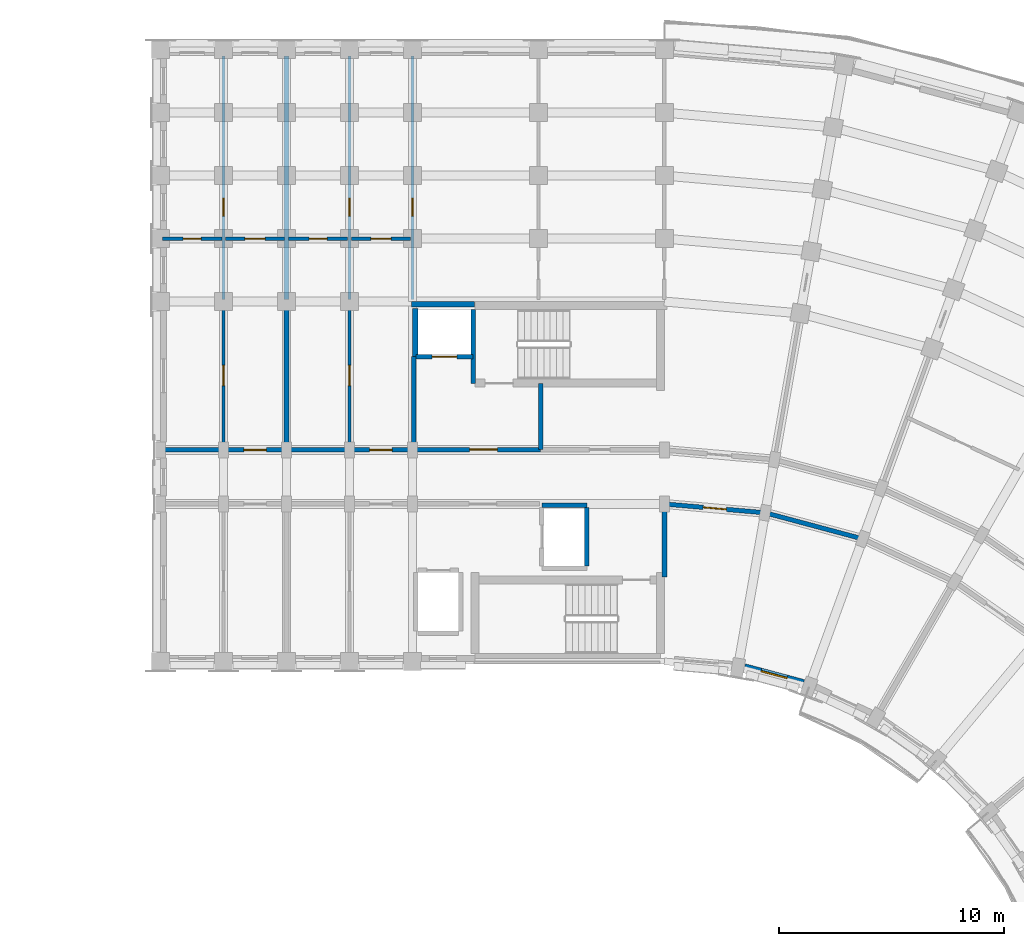
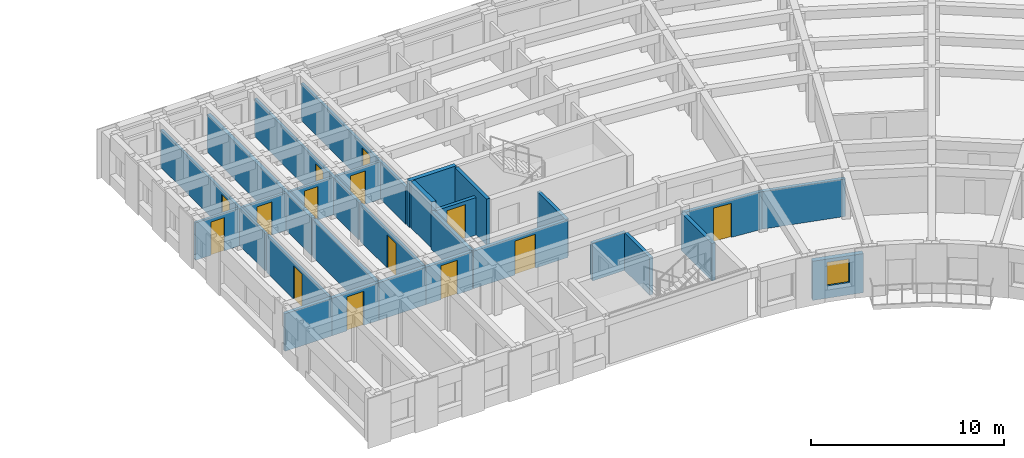
# One storey, part 29 of 54: 28 walls, 14 doors, 1 window, 15 openings.
"""IFC4 building model written with IfcOpenShell, lengths in metres."""

from ifc_helpers import new_model, si_unit, direction, frame, frame_2d, origin, place, context, subcontext, project, spatial, rectangle, extrude, material, layer, layer_set, type_object, element, fill, save


model = new_model("IFC4")

# Units and contexts
model_context = context("Model", 3, precision=1e-05, world=origin(), true_north=direction((0.0, 1.0)))
body_context = subcontext(model_context, "Body", "Model", "MODEL_VIEW")
ifc_project = project(units=[si_unit("LENGTHUNIT", "METRE"), si_unit("AREAUNIT", "SQUARE_METRE"), si_unit("VOLUMEUNIT", "CUBIC_METRE"), si_unit("PLANEANGLEUNIT", "RADIAN"), si_unit("MASSUNIT", "GRAM", prefix="KILO")], contexts=[model_context])

# Site, building, storey
site_placement = place(None, origin())
site = spatial("IfcSite", under=ifc_project, at=site_placement, CompositionType="ELEMENT")
building_placement = place(site_placement, origin())
building = spatial("IfcBuilding", under=site, at=building_placement, Name="Kiranvali Square Residences", CompositionType="ELEMENT")
storey_placement = place(building_placement, frame((0.0, 0.0, 15.0)))
storey = spatial("IfcBuildingStorey", under=building, at=storey_placement, Name="L04", CompositionType="ELEMENT", Elevation=15.0)

# Wall, opening, door
ifc_material_1 = material(Name="Autoclaved aerated concrete blockwork masonry", Category="masonry")
ifc_layer_1 = layer(ifc_material_1, 0.199951171875)
ifc_layer_set_1 = layer_set([ifc_layer_1], Name="Autoclaved aerated concrete blockwork masonry")
wall_type_1 = type_object("IfcWallType", Name="WL-COR-200", PredefinedType="STANDARD", material=ifc_layer_set_1)
wall_1_placement = place(storey_placement, frame((108.60009765625, 116.0, 0.0), z_axis=(0.0, 0.0, 1.0), x_axis=(-1.0, 0.0, 0.0)))
wall_1 = element("IfcWall", 1, at=wall_1_placement, inside=storey, type_object=wall_type_1, Name="L04 architectural wall WL-L04-B-A1CO-0", PredefinedType="STANDARD", context=body_context, shape_type="SweptSolid", body=[
    extrude(rectangle(XDim=2.800048828125, YDim=0.199951171875, at=frame_2d((1.39990234375, 0.0))), origin(), (0.0, 0.0, 1.0), 2.3720703125),
])
opening_1_placement = place(wall_1_placement, frame((0.89990234375, 0.0, 0.0)))
opening_1 = element("IfcOpeningElement", 2, at=opening_1_placement, cuts=wall_1, Name="Opening FD-APT-60", PredefinedType="OPENING", context=body_context, shape_type="SweptSolid", body=[
    extrude(rectangle(XDim=1.0, YDim=2.14990234375, at=frame_2d((0.5, 1.074951171875))), frame((0.0, 0.10986328125, 0.0), z_axis=(0.0, -1.0, 0.0), x_axis=(1.0, 0.0, 0.0)), (0.0, 0.0, 1.0), 0.219970703125),
])
ifc_material_2 = material(Name="Fire-rated acoustic hardwood and mineral-core door assembly", Category="wood")
door_type_1 = type_object("IfcDoorType", Name="DR-APT-1000", OperationType="NOTDEFINED", PredefinedType="DOOR", material=ifc_material_2)
door_1_placement = place(opening_1_placement, origin())
door_1 = element("IfcDoor", 3, at=door_1_placement, inside=storey, type_object=door_type_1, Name="L04 door DR-L04-1209 (DR-APT-1000)", OperationType="SINGLE_SWING_LEFT", OverallHeight=2.14990234375, OverallWidth=1.0, PredefinedType="DOOR", context=body_context, shape_type="SweptSolid", body=[
    extrude(rectangle(XDim=1.0, YDim=2.14990234375, at=frame_2d((0.5, 1.074951171875))), frame((0.0, 0.02490234375, 0.0), z_axis=(0.0, -1.0, 0.0), x_axis=(1.0, 0.0, 0.0)), (0.0, 0.0, 1.0), 0.050048828125),
])
fill(opening_1, door_1)

# Wall
wall_2_placement = place(storey_placement, frame((105.800048828125, 116.0, 0.0), z_axis=(0.0, 0.0, 1.0), x_axis=(-1.0, 0.0, 0.0)))
element("IfcWall", 4, at=wall_2_placement, inside=storey, type_object=wall_type_1, Name="L04 architectural wall WL-L04-B-A1CO-1", PredefinedType="STANDARD", context=body_context, shape_type="SweptSolid", body=[
    extrude(rectangle(XDim=2.800048828125, YDim=0.199951171875, at=frame_2d((1.39990234375, 0.0))), origin(), (0.0, 0.0, 1.0), 2.3720703125),
])

# Wall, opening, door
wall_3_placement = place(storey_placement, frame((103.0, 116.0, 0.0), z_axis=(0.0, 0.0, 1.0), x_axis=(-1.0, 0.0, 0.0)))
wall_3 = element("IfcWall", 5, at=wall_3_placement, inside=storey, type_object=wall_type_1, Name="L04 architectural wall WL-L04-B-A1CO-2", PredefinedType="STANDARD", context=body_context, shape_type="SweptSolid", body=[
    extrude(rectangle(XDim=2.800048828125, YDim=0.199951171875, at=frame_2d((1.39990234375, 0.0))), origin(), (0.0, 0.0, 1.0), 2.3720703125),
])
opening_2_placement = place(wall_3_placement, frame((0.89990234375, 0.0, 0.0)))
opening_2 = element("IfcOpeningElement", 6, at=opening_2_placement, cuts=wall_3, Name="Opening FD-APT-60", PredefinedType="OPENING", context=body_context, shape_type="SweptSolid", body=[
    extrude(rectangle(XDim=1.0, YDim=2.14990234375, at=frame_2d((0.5, 1.074951171875))), frame((0.0, 0.10986328125, 0.0), z_axis=(0.0, -1.0, 0.0), x_axis=(1.0, 0.0, 0.0)), (0.0, 0.0, 1.0), 0.219970703125),
])
door_2_placement = place(opening_2_placement, origin())
door_2 = element("IfcDoor", 7, at=door_2_placement, inside=storey, type_object=door_type_1, Name="L04 door DR-L04-1213 (DR-APT-1000)", OperationType="SINGLE_SWING_LEFT", OverallHeight=2.14990234375, OverallWidth=1.0, PredefinedType="DOOR", context=body_context, shape_type="SweptSolid", body=[
    extrude(rectangle(XDim=1.0, YDim=2.14990234375, at=frame_2d((0.5, 1.074951171875))), frame((0.0, 0.02490234375, 0.0), z_axis=(0.0, -1.0, 0.0), x_axis=(1.0, 0.0, 0.0)), (0.0, 0.0, 1.0), 0.050048828125),
])
fill(opening_2, door_2)

# Wall
wall_4_placement = place(storey_placement, frame((100.199951171875, 116.0, 0.0), z_axis=(0.0, 0.0, 1.0), x_axis=(-1.0, 0.0, 0.0)))
element("IfcWall", 8, at=wall_4_placement, inside=storey, type_object=wall_type_1, Name="L04 architectural wall WL-L04-B-A1CO-3", PredefinedType="STANDARD", context=body_context, shape_type="SweptSolid", body=[
    extrude(rectangle(XDim=2.800048828125, YDim=0.199951171875, at=frame_2d((1.39990234375, 0.0))), origin(), (0.0, 0.0, 1.0), 2.3720703125),
])

# Wall, opening, door
wall_5_placement = place(storey_placement, frame((119.800048828125, 113.60009765625, 0.0), z_axis=(0.0, 0.0, 1.0), x_axis=(0.996191949488, -0.087187153726, 0.0)))
wall_5 = element("IfcWall", 9, at=wall_5_placement, inside=storey, type_object=wall_type_1, Name="L04 architectural wall WL-L04-B-CCI-0", PredefinedType="STANDARD", context=body_context, shape_type="SweptSolid", body=[
    extrude(rectangle(XDim=4.4970703125, YDim=0.199951171875, at=frame_2d((2.24853515625, 0.0))), origin(), (0.0, 0.0, 1.0), 2.3720703125),
])
opening_3_placement = place(wall_5_placement, frame((1.728515625, 0.0, 0.0)))
opening_3 = element("IfcOpeningElement", 10, at=opening_3_placement, cuts=wall_5, Name="Opening FD-APT-60B", PredefinedType="OPENING", context=body_context, shape_type="SweptSolid", body=[
    extrude(rectangle(XDim=1.0400390625, YDim=2.14990234375, at=frame_2d((0.52001953125, 1.074951171875))), frame((0.0, 0.10986328125, 0.0), z_axis=(0.0, -1.0, 0.0), x_axis=(1.0, 0.0, 0.0)), (0.0, 0.0, 1.0), 0.219970703125),
])
door_type_2 = type_object("IfcDoorType", Name="DR-APT-1040", OperationType="NOTDEFINED", PredefinedType="DOOR", material=ifc_material_2)
door_3_placement = place(opening_3_placement, frame((1.0400390625, 0.0, 0.0), z_axis=(0.0, 0.0, 1.0), x_axis=(-1.0, 0.0, 0.0)))
door_3 = element("IfcDoor", 11, at=door_3_placement, inside=storey, type_object=door_type_2, Name="L04 door DR-L04-1236 (DR-APT-1040)", OperationType="SINGLE_SWING_RIGHT", OverallHeight=2.14990234375, OverallWidth=1.0400390625, PredefinedType="DOOR", context=body_context, shape_type="SweptSolid", body=[
    extrude(rectangle(XDim=1.0400390625, YDim=2.14990234375, at=frame_2d((0.52001953125, 1.074951171875))), frame((0.0, 0.02490234375, 0.0), z_axis=(0.0, -1.0, 0.0), x_axis=(1.0, 0.0, 0.0)), (0.0, 0.0, 1.0), 0.050048828125),
])
fill(opening_3, door_3)

# Walls
wall_6_placement = place(storey_placement, frame((124.280029296875, 113.2080078125, 0.0), z_axis=(0.0, 0.0, 1.0), x_axis=(0.965934240054, -0.258787642463, 0.0)))
element("IfcWall", 12, at=wall_6_placement, inside=storey, type_object=wall_type_1, Name="L04 architectural wall WL-L04-B-CCI-1", PredefinedType="STANDARD", context=body_context, shape_type="SweptSolid", body=[
    extrude(rectangle(XDim=4.497314453125, YDim=0.199951171875, at=frame_2d((2.24853515625, 0.0))), origin(), (0.0, 0.0, 1.0), 2.3720703125),
])
ifc_layer_2 = layer(ifc_material_1, 0.219970703125)
ifc_layer_set_2 = layer_set([ifc_layer_2], Name="Autoclaved aerated concrete blockwork masonry")
wall_type_2 = type_object("IfcWallType", Name="WL-DEM-220", PredefinedType="STANDARD", material=ifc_layer_set_2)
wall_7_placement = place(storey_placement, frame((103.0, 116.050048828125, 0.0), z_axis=(0.0, 0.0, 1.0), x_axis=(0.0, 1.0, 0.0)))
element("IfcWall", 13, at=wall_7_placement, inside=storey, type_object=wall_type_2, Name="L04 architectural wall WL-L04-B-A1TO1-2", PredefinedType="STANDARD", context=body_context, shape_type="SweptSolid", body=[
    extrude(rectangle(XDim=6.530029296875, YDim=0.219970703125, at=frame_2d((3.26513671875, 0.0))), origin(), (0.0, 0.0, 1.0), 2.3720703125),
])
wall_8_placement = place(storey_placement, frame((103.0, 122.699951171875, 0.0), z_axis=(0.0, 0.0, 1.0), x_axis=(0.0, 1.0, 0.0)))
element("IfcWall", 14, at=wall_8_placement, inside=storey, type_object=wall_type_2, Name="L04 architectural wall WL-L04-B-A1TO2-2", PredefinedType="STANDARD", context=body_context, shape_type="SweptSolid", body=[
    extrude(rectangle(XDim=10.820068359375, YDim=0.219970703125, at=frame_2d((5.41015625, 0.0))), origin(), (0.0, 0.0, 1.0), 2.3720703125),
])
wall_9_placement = place(storey_placement, frame((119.800048828125, 110.35009765625, 0.0), z_axis=(0.0, 0.0, 1.0), x_axis=(0.0, 1.0, 0.0)))
element("IfcWall", 15, at=wall_9_placement, inside=storey, type_object=wall_type_2, Name="L04 architectural wall WL-L04-B-RADI-0", PredefinedType="STANDARD", context=body_context, shape_type="SweptSolid", body=[
    extrude(rectangle(XDim=3.199951171875, YDim=0.219970703125, at=frame_2d((1.60009765625, 0.0))), origin(), (0.0, 0.0, 1.0), 2.3720703125),
])

# Wall, opening, window
ifc_material_3 = material(Name="Breathable lime-rendered clay brick masonry", Category="masonry")
ifc_layer_3 = layer(ifc_material_3, 0.27490234375)
ifc_layer_set_3 = layer_set([ifc_layer_3], Name="Breathable lime-rendered clay brick masonry")
wall_type_3 = type_object("IfcWallType", Name="WL-EXT-275", PredefinedType="STANDARD", material=ifc_layer_set_3)
wall_10_placement = place(storey_placement, frame((123.3671875, 106.36279296875, 0.0), z_axis=(0.0, 0.0, 1.0), x_axis=(0.965925595341, -0.258819907011, 0.0)))
wall_10 = element("IfcWall", 16, at=wall_10_placement, inside=storey, type_object=wall_type_3, Name="L04 exterior wall B-L04-GDN-01", PredefinedType="STANDARD", context=body_context, shape_type="SweptSolid", body=[
    extrude(rectangle(XDim=2.717529296875, YDim=0.27490234375, at=frame_2d((1.35888671875, 0.0))), origin(), (0.0, 0.0, 1.0), 2.471923828125),
])
opening_4_placement = place(wall_10_placement, frame((0.7587890625, 0.0, 0.77197265625)))
opening_4 = element("IfcOpeningElement", 17, at=opening_4_placement, cuts=wall_10, Name="Opening W-06", PredefinedType="OPENING", context=body_context, shape_type="SweptSolid", body=[
    extrude(rectangle(XDim=1.199951171875, YDim=1.5, at=frame_2d((0.60009765625, 0.75))), frame((0.0, 0.1474609375, 0.0), z_axis=(0.0, -1.0, 0.0), x_axis=(1.0, 0.0, 0.0)), (0.0, 0.0, 1.0), 0.294921875),
])
ifc_material_4 = material(Name="Solar-control low-e double glazing", Category="glass")
window_type = type_object("IfcWindowType", Name="WIN-RES-1200x1500", PartitioningType="SINGLE_PANEL", PredefinedType="WINDOW", material=ifc_material_4)
window_placement = place(opening_4_placement, origin())
window = element("IfcWindow", 18, at=window_placement, inside=storey, type_object=window_type, Name="L04 recessed window B-L04-GDN-01", OverallHeight=1.5, OverallWidth=1.199951171875, PartitioningType="SINGLE_PANEL", PredefinedType="WINDOW", context=body_context, shape_type="SweptSolid", body=[
    extrude(rectangle(XDim=1.199951171875, YDim=1.5, at=frame_2d((0.60009765625, 0.75))), frame((0.0, 0.030029296875, 0.0), z_axis=(0.0, -1.0, 0.0), x_axis=(1.0, 0.0, 0.0)), (0.0, 0.0, 1.0), 0.06005859375),
])
fill(opening_4, window)

# Wall, opening, door
ifc_layer_4 = layer(ifc_material_1, 0.199951171875)
ifc_layer_set_4 = layer_set([ifc_layer_4], Name="Autoclaved aerated concrete blockwork masonry")
wall_type_4 = type_object("IfcWallType", Name="WL-FFL-200", PredefinedType="STANDARD", material=ifc_layer_set_4)
wall_11_placement = place(storey_placement, frame((114.300048828125, 116.02001953125, 0.0), z_axis=(0.0, 0.0, 1.0), x_axis=(-1.0, 0.0, 0.0)))
wall_11 = element("IfcWall", 19, at=wall_11_placement, inside=storey, type_object=wall_type_4, Name="L04 architectural wall WL-L04-B-FF-COR", PredefinedType="STANDARD", context=body_context, shape_type="SweptSolid", body=[
    extrude(rectangle(XDim=5.650146484375, YDim=0.199951171875, at=frame_2d((2.8251953125, 0.0))), origin(), (0.0, 0.0, 1.0), 2.3720703125),
])
opening_5_placement = place(wall_11_placement, frame((1.922607421875, 0.0, 0.0)))
opening_5 = element("IfcOpeningElement", 20, at=opening_5_placement, cuts=wall_11, Name="Opening FD-ST-120", PredefinedType="OPENING", context=body_context, shape_type="SweptSolid", body=[
    extrude(rectangle(XDim=1.239990234375, YDim=2.14990234375, at=frame_2d((0.6201171875, 1.074951171875))), frame((0.0, 0.10986328125, 0.0), z_axis=(0.0, -1.0, 0.0), x_axis=(1.0, 0.0, 0.0)), (0.0, 0.0, 1.0), 0.219970703125),
])
door_type_3 = type_object("IfcDoorType", Name="DR-FD120-1200", OperationType="NOTDEFINED", PredefinedType="DOOR", material=ifc_material_2)
door_4_placement = place(opening_5_placement, origin())
door_4 = element("IfcDoor", 21, at=door_4_placement, inside=storey, type_object=door_type_3, Name="L04 door DR-L04-1195 (DR-FD120-1200)", OperationType="SINGLE_SWING_LEFT", OverallHeight=2.14990234375, OverallWidth=1.239990234375, PredefinedType="DOOR", context=body_context, shape_type="SweptSolid", body=[
    extrude(rectangle(XDim=1.239990234375, YDim=2.14990234375, at=frame_2d((0.6201171875, 1.074951171875))), frame((0.0, 0.02490234375, 0.0), z_axis=(0.0, -1.0, 0.0), x_axis=(1.0, 0.0, 0.0)), (0.0, 0.0, 1.0), 0.050048828125),
])
fill(opening_5, door_4)

# Walls
wall_12_placement = place(storey_placement, frame((114.300048828125, 116.02001953125, 0.0), z_axis=(0.0, 0.0, 1.0), x_axis=(0.0, 1.0, 0.0)))
element("IfcWall", 22, at=wall_12_placement, inside=storey, type_object=wall_type_4, Name="L04 architectural wall WL-L04-B-FF-DIV", PredefinedType="STANDARD", context=body_context, shape_type="SweptSolid", body=[
    extrude(rectangle(XDim=2.929931640625, YDim=0.199951171875, at=frame_2d((1.46484375, 0.0))), origin(), (0.0, 0.0, 1.0), 2.3720703125),
])
wall_13_placement = place(storey_placement, frame((108.64990234375, 116.02001953125, 0.0), z_axis=(0.0, 0.0, 1.0), x_axis=(0.0, 1.0, 0.0)))
element("IfcWall", 23, at=wall_13_placement, inside=storey, type_object=wall_type_4, Name="L04 architectural wall WL-L04-B-FF-END", PredefinedType="STANDARD", context=body_context, shape_type="SweptSolid", body=[
    extrude(rectangle(XDim=4.1298828125, YDim=0.199951171875, at=frame_2d((2.06494140625, 0.0))), origin(), (0.0, 0.0, 1.0), 2.3720703125),
])

# Wall, opening, door
wall_14_placement = place(storey_placement, frame((111.300048828125, 120.14990234375, 0.0), z_axis=(0.0, 0.0, 1.0), x_axis=(-1.0, 0.0, 0.0)))
wall_14 = element("IfcWall", 24, at=wall_14_placement, inside=storey, type_object=wall_type_4, Name="L04 architectural wall WL-L04-B-FF-LFT", PredefinedType="STANDARD", context=body_context, shape_type="SweptSolid", body=[
    extrude(rectangle(XDim=2.550048828125, YDim=0.199951171875, at=frame_2d((1.27490234375, 0.0))), origin(), (0.0, 0.0, 1.0), 2.3720703125),
])
opening_6_placement = place(wall_14_placement, frame((0.72509765625, 0.0, 0.0)))
opening_6 = element("IfcOpeningElement", 25, at=opening_6_placement, cuts=wall_14, Name="Opening LD-FF-110", PredefinedType="OPENING", context=body_context, shape_type="SweptSolid", body=[
    extrude(rectangle(XDim=1.10009765625, YDim=2.14990234375, at=frame_2d((0.550048828125, 1.074951171875))), frame((0.0, 0.10986328125, 0.0), z_axis=(0.0, -1.0, 0.0), x_axis=(1.0, 0.0, 0.0)), (0.0, 0.0, 1.0), 0.219970703125),
])
door_type_4 = type_object("IfcDoorType", Name="DR-LIFT-FF-1100", OperationType="SLIDING_TO_LEFT", PredefinedType="DOOR", material=ifc_material_2)
door_5_placement = place(opening_6_placement, origin())
door_5 = element("IfcDoor", 26, at=door_5_placement, inside=storey, type_object=door_type_4, Name="L04 door DR-L04-1197 (DR-LIFT-FF-1100)", OperationType="SLIDING_TO_LEFT", OverallHeight=2.14990234375, OverallWidth=1.10009765625, PredefinedType="DOOR", context=body_context, shape_type="SweptSolid", body=[
    extrude(rectangle(XDim=1.10009765625, YDim=2.14990234375, at=frame_2d((0.550048828125, 1.074951171875))), frame((0.0, 0.02490234375, 0.0), z_axis=(0.0, -1.0, 0.0), x_axis=(1.0, 0.0, 0.0)), (0.0, 0.0, 1.0), 0.050048828125),
])
fill(opening_6, door_5)

ifc_material_5 = material(Name="Acoustic gypsum board drylined partition", Category="gypsum")
ifc_layer_5 = layer(ifc_material_5, 0.14990234375)
ifc_layer_set_5 = layer_set([ifc_layer_5], Name="Acoustic gypsum board drylined partition")
wall_type_5 = type_object("IfcWallType", Name="WL-PRT-150", PredefinedType="PARTITIONING", material=ifc_layer_set_5)
wall_15_placement = place(storey_placement, frame((108.60009765625, 122.699951171875, 0.0), z_axis=(0.0, 0.0, 1.0), x_axis=(0.0, 1.0, 0.0)))
wall_15 = element("IfcWall", 27, at=wall_15_placement, inside=storey, type_object=wall_type_5, Name="L04 architectural wall WL-L04-B-A1TO2-0", PredefinedType="PARTITIONING", context=body_context, shape_type="SweptSolid", body=[
    extrude(rectangle(XDim=10.820068359375, YDim=0.14990234375, at=frame_2d((5.41015625, 0.0))), origin(), (0.0, 0.0, 1.0), 2.3720703125),
])
opening_7_placement = place(wall_15_placement, frame((3.69970703125, 0.0, 0.0)))
opening_7 = element("IfcOpeningElement", 28, at=opening_7_placement, cuts=wall_15, Name="Opening ID-WET", PredefinedType="OPENING", context=body_context, shape_type="SweptSolid", body=[
    extrude(rectangle(XDim=0.800048828125, YDim=2.10009765625, at=frame_2d((0.39990234375, 1.050048828125))), frame((0.0, 0.0849609375, 0.0), z_axis=(0.0, -1.0, 0.0), x_axis=(1.0, 0.0, 0.0)), (0.0, 0.0, 1.0), 0.169921875),
])
ifc_material_6 = material(Name="Solid seasoned teak hardwood joinery", Category="wood")
door_type_5 = type_object("IfcDoorType", Name="DR-WET-800", OperationType="NOTDEFINED", PredefinedType="DOOR", material=ifc_material_6)
door_6_placement = place(opening_7_placement, origin())
door_6 = element("IfcDoor", 29, at=door_6_placement, inside=storey, type_object=door_type_5, Name="L04 door DR-L04-1215 (DR-WET-800)", OperationType="SINGLE_SWING_LEFT", OverallHeight=2.10009765625, OverallWidth=0.800048828125, PredefinedType="DOOR", context=body_context, shape_type="SweptSolid", body=[
    extrude(rectangle(XDim=0.800048828125, YDim=2.10009765625, at=frame_2d((0.39990234375, 1.050048828125))), frame((0.0, 0.02490234375, 0.0), z_axis=(0.0, -1.0, 0.0), x_axis=(1.0, 0.0, 0.0)), (0.0, 0.0, 1.0), 0.050048828125),
])
fill(opening_7, door_6)

wall_16_placement = place(storey_placement, frame((105.800048828125, 116.050048828125, 0.0), z_axis=(0.0, 0.0, 1.0), x_axis=(0.0, 1.0, 0.0)))
wall_16 = element("IfcWall", 30, at=wall_16_placement, inside=storey, type_object=wall_type_5, Name="L04 architectural wall WL-L04-B-A1TO1-1", PredefinedType="PARTITIONING", context=body_context, shape_type="SweptSolid", body=[
    extrude(rectangle(XDim=6.530029296875, YDim=0.14990234375, at=frame_2d((3.26513671875, 0.0))), origin(), (0.0, 0.0, 1.0), 2.3720703125),
])
opening_8_placement = place(wall_16_placement, frame((2.81494140625, 0.0, 0.0)))
opening_8 = element("IfcOpeningElement", 31, at=opening_8_placement, cuts=wall_16, Name="Opening ID-1", PredefinedType="OPENING", context=body_context, shape_type="SweptSolid", body=[
    extrude(rectangle(XDim=0.89990234375, YDim=2.10009765625, at=frame_2d((0.449951171875, 1.050048828125))), frame((0.0, 0.0849609375, 0.0), z_axis=(0.0, -1.0, 0.0), x_axis=(1.0, 0.0, 0.0)), (0.0, 0.0, 1.0), 0.169921875),
])
door_type_6 = type_object("IfcDoorType", Name="DR-INT-900", OperationType="NOTDEFINED", PredefinedType="DOOR", material=ifc_material_6)
door_7_placement = place(opening_8_placement, origin())
door_7 = element("IfcDoor", 32, at=door_7_placement, inside=storey, type_object=door_type_6, Name="L04 door DR-L04-1217 (DR-INT-900)", OperationType="SINGLE_SWING_LEFT", OverallHeight=2.10009765625, OverallWidth=0.89990234375, PredefinedType="DOOR", context=body_context, shape_type="SweptSolid", body=[
    extrude(rectangle(XDim=0.89990234375, YDim=2.10009765625, at=frame_2d((0.449951171875, 1.050048828125))), frame((0.0, 0.02490234375, 0.0), z_axis=(0.0, -1.0, 0.0), x_axis=(1.0, 0.0, 0.0)), (0.0, 0.0, 1.0), 0.050048828125),
])
fill(opening_8, door_7)

wall_17_placement = place(storey_placement, frame((105.800048828125, 122.699951171875, 0.0), z_axis=(0.0, 0.0, 1.0), x_axis=(0.0, 1.0, 0.0)))
wall_17 = element("IfcWall", 33, at=wall_17_placement, inside=storey, type_object=wall_type_5, Name="L04 architectural wall WL-L04-B-A1TO2-1", PredefinedType="PARTITIONING", context=body_context, shape_type="SweptSolid", body=[
    extrude(rectangle(XDim=10.820068359375, YDim=0.14990234375, at=frame_2d((5.41015625, 0.0))), origin(), (0.0, 0.0, 1.0), 2.3720703125),
])
opening_9_placement = place(wall_17_placement, frame((3.69970703125, 0.0, 0.0)))
opening_9 = element("IfcOpeningElement", 34, at=opening_9_placement, cuts=wall_17, Name="Opening ID-WET", PredefinedType="OPENING", context=body_context, shape_type="SweptSolid", body=[
    extrude(rectangle(XDim=0.800048828125, YDim=2.10009765625, at=frame_2d((0.39990234375, 1.050048828125))), frame((0.0, 0.0849609375, 0.0), z_axis=(0.0, -1.0, 0.0), x_axis=(1.0, 0.0, 0.0)), (0.0, 0.0, 1.0), 0.169921875),
])
door_8_placement = place(opening_9_placement, frame((0.800048828125, 0.0, 0.0), z_axis=(0.0, 0.0, 1.0), x_axis=(-1.0, 0.0, 0.0)))
door_8 = element("IfcDoor", 35, at=door_8_placement, inside=storey, type_object=door_type_5, Name="L04 door DR-L04-1218 (DR-WET-800)", OperationType="SINGLE_SWING_RIGHT", OverallHeight=2.10009765625, OverallWidth=0.800048828125, PredefinedType="DOOR", context=body_context, shape_type="SweptSolid", body=[
    extrude(rectangle(XDim=0.800048828125, YDim=2.10009765625, at=frame_2d((0.39990234375, 1.050048828125))), frame((0.0, 0.02490234375, 0.0), z_axis=(0.0, -1.0, 0.0), x_axis=(1.0, 0.0, 0.0)), (0.0, 0.0, 1.0), 0.050048828125),
])
fill(opening_9, door_8)

wall_18_placement = place(storey_placement, frame((100.199951171875, 116.050048828125, 0.0), z_axis=(0.0, 0.0, 1.0), x_axis=(0.0, 1.0, 0.0)))
wall_18 = element("IfcWall", 36, at=wall_18_placement, inside=storey, type_object=wall_type_5, Name="L04 architectural wall WL-L04-B-A1TO1-3", PredefinedType="PARTITIONING", context=body_context, shape_type="SweptSolid", body=[
    extrude(rectangle(XDim=6.530029296875, YDim=0.14990234375, at=frame_2d((3.26513671875, 0.0))), origin(), (0.0, 0.0, 1.0), 2.3720703125),
])
opening_10_placement = place(wall_18_placement, frame((2.81494140625, 0.0, 0.0)))
opening_10 = element("IfcOpeningElement", 37, at=opening_10_placement, cuts=wall_18, Name="Opening ID-1", PredefinedType="OPENING", context=body_context, shape_type="SweptSolid", body=[
    extrude(rectangle(XDim=0.89990234375, YDim=2.10009765625, at=frame_2d((0.449951171875, 1.050048828125))), frame((0.0, 0.0849609375, 0.0), z_axis=(0.0, -1.0, 0.0), x_axis=(1.0, 0.0, 0.0)), (0.0, 0.0, 1.0), 0.169921875),
])
door_9_placement = place(opening_10_placement, frame((0.89990234375, 0.0, 0.0), z_axis=(0.0, 0.0, 1.0), x_axis=(-1.0, 0.0, 0.0)))
door_9 = element("IfcDoor", 38, at=door_9_placement, inside=storey, type_object=door_type_6, Name="L04 door DR-L04-1220 (DR-INT-900)", OperationType="SINGLE_SWING_RIGHT", OverallHeight=2.10009765625, OverallWidth=0.89990234375, PredefinedType="DOOR", context=body_context, shape_type="SweptSolid", body=[
    extrude(rectangle(XDim=0.89990234375, YDim=2.10009765625, at=frame_2d((0.449951171875, 1.050048828125))), frame((0.0, 0.02490234375, 0.0), z_axis=(0.0, -1.0, 0.0), x_axis=(1.0, 0.0, 0.0)), (0.0, 0.0, 1.0), 0.050048828125),
])
fill(opening_10, door_9)

wall_19_placement = place(storey_placement, frame((100.199951171875, 122.699951171875, 0.0), z_axis=(0.0, 0.0, 1.0), x_axis=(0.0, 1.0, 0.0)))
wall_19 = element("IfcWall", 39, at=wall_19_placement, inside=storey, type_object=wall_type_5, Name="L04 architectural wall WL-L04-B-A1TO2-3", PredefinedType="PARTITIONING", context=body_context, shape_type="SweptSolid", body=[
    extrude(rectangle(XDim=10.820068359375, YDim=0.14990234375, at=frame_2d((5.41015625, 0.0))), origin(), (0.0, 0.0, 1.0), 2.3720703125),
])
opening_11_placement = place(wall_19_placement, frame((3.69970703125, 0.0, 0.0)))
opening_11 = element("IfcOpeningElement", 40, at=opening_11_placement, cuts=wall_19, Name="Opening ID-WET", PredefinedType="OPENING", context=body_context, shape_type="SweptSolid", body=[
    extrude(rectangle(XDim=0.800048828125, YDim=2.10009765625, at=frame_2d((0.39990234375, 1.050048828125))), frame((0.0, 0.0849609375, 0.0), z_axis=(0.0, -1.0, 0.0), x_axis=(1.0, 0.0, 0.0)), (0.0, 0.0, 1.0), 0.169921875),
])
door_10_placement = place(opening_11_placement, origin())
door_10 = element("IfcDoor", 41, at=door_10_placement, inside=storey, type_object=door_type_5, Name="L04 door DR-L04-1221 (DR-WET-800)", OperationType="SINGLE_SWING_LEFT", OverallHeight=2.10009765625, OverallWidth=0.800048828125, PredefinedType="DOOR", context=body_context, shape_type="SweptSolid", body=[
    extrude(rectangle(XDim=0.800048828125, YDim=2.10009765625, at=frame_2d((0.39990234375, 1.050048828125))), frame((0.0, 0.02490234375, 0.0), z_axis=(0.0, -1.0, 0.0), x_axis=(1.0, 0.0, 0.0)), (0.0, 0.0, 1.0), 0.050048828125),
])
fill(opening_11, door_10)

# Walls
ifc_layer_6 = layer(ifc_material_1, 0.199951171875)
ifc_layer_set_6 = layer_set([ifc_layer_6], Name="Autoclaved aerated concrete blockwork masonry")
wall_type_6 = type_object("IfcWallType", Name="WL-SHF-200", PredefinedType="STANDARD", material=ifc_layer_set_6)
wall_20_placement = place(storey_placement, frame((111.300048828125, 118.949951171875, 0.0), z_axis=(0.0, 0.0, 1.0), x_axis=(0.0, 1.0, 0.0)))
element("IfcWall", 42, at=wall_20_placement, inside=storey, type_object=wall_type_6, Name="L04 architectural wall WL-L04-B-FF-SHF", PredefinedType="STANDARD", context=body_context, shape_type="SweptSolid", body=[
    extrude(rectangle(XDim=3.300048828125, YDim=0.199951171875, at=frame_2d((1.64990234375, 0.0))), origin(), (0.0, 0.0, 1.0), 2.929931640625),
])
wall_21_placement = place(storey_placement, frame((116.35009765625, 113.550048828125, 0.0), z_axis=(0.0, 0.0, 1.0), x_axis=(-1.0, 0.0, 0.0)))
element("IfcWall", 43, at=wall_21_placement, inside=storey, type_object=wall_type_6, Name="L04 architectural wall WL-L04-B-LP2-B", PredefinedType="STANDARD", context=body_context, shape_type="SweptSolid", body=[
    extrude(rectangle(XDim=2.0, YDim=0.199951171875, at=frame_2d((1.0, 0.0))), origin(), (0.0, 0.0, 1.0), 2.3720703125),
])
wall_22_placement = place(storey_placement, frame((116.35009765625, 110.85009765625, 0.0), z_axis=(0.0, 0.0, 1.0), x_axis=(0.0, 1.0, 0.0)))
element("IfcWall", 44, at=wall_22_placement, inside=storey, type_object=wall_type_6, Name="L04 architectural wall WL-L04-B-LP2-S1", PredefinedType="STANDARD", context=body_context, shape_type="SweptSolid", body=[
    extrude(rectangle(XDim=2.599853515625, YDim=0.199951171875, at=frame_2d((1.2998046875, 0.0))), origin(), (0.0, 0.0, 1.0), 2.3720703125),
])
ifc_material_7 = material(Name="Concrete M45 (45 MPa)", Category="concrete")
ifc_layer_7 = layer(ifc_material_7, 0.25)
ifc_layer_set_7 = layer_set([ifc_layer_7], Name="Concrete M45 (45 MPa)")
wall_type_7 = type_object("IfcWallType", Name="WL-SHR-250", PredefinedType="SHEAR", material=ifc_layer_set_7)
wall_23_placement = place(storey_placement, frame((111.35009765625, 122.47509765625, 0.0), z_axis=(0.0, 0.0, 1.0), x_axis=(-1.0, 0.0, 0.0)))
element("IfcWall", 45, at=wall_23_placement, inside=storey, type_object=wall_type_7, Name="Block B core shear wall SW-BFF-BK-L04", PredefinedType="SHEAR", context=body_context, shape_type="SweptSolid", body=[
    extrude(rectangle(XDim=2.800048828125, YDim=0.25, at=frame_2d((1.39990234375, 0.0))), origin(), (0.0, 0.0, 1.0), 2.929931640625),
])
wall_24_placement = place(storey_placement, frame((108.72509765625, 120.14990234375, 0.0), z_axis=(0.0, 0.0, 1.0), x_axis=(0.0, 1.0, 0.0)))
element("IfcWall", 46, at=wall_24_placement, inside=storey, type_object=wall_type_7, Name="Block B core shear wall SW-BFF-SD-L04", PredefinedType="SHEAR", context=body_context, shape_type="SweptSolid", body=[
    extrude(rectangle(XDim=2.150146484375, YDim=0.25, at=frame_2d((1.0751953125, 0.0))), origin(), (0.0, 0.0, 1.0), 2.929931640625),
])

# Wall, opening, door
ifc_layer_8 = layer(ifc_material_1, 0.14990234375)
ifc_layer_set_8 = layer_set([ifc_layer_8], Name="Autoclaved aerated concrete blockwork masonry")
wall_type_8 = type_object("IfcWallType", Name="WL-WET-150", PredefinedType="PLUMBINGWALL", material=ifc_layer_set_8)
wall_25_placement = place(storey_placement, frame((108.52001953125, 125.39990234375, 0.0), z_axis=(0.0, 0.0, 1.0), x_axis=(-1.0, 0.0, 0.0)))
wall_25 = element("IfcWall", 47, at=wall_25_placement, inside=storey, type_object=wall_type_8, Name="L04 architectural wall WL-L04-B-A1SP-0", PredefinedType="PLUMBINGWALL", context=body_context, shape_type="SweptSolid", body=[
    extrude(rectangle(XDim=2.64013671875, YDim=0.14990234375, at=frame_2d((1.320068359375, 0.0))), origin(), (0.0, 0.0, 1.0), 2.3720703125),
])
opening_12_placement = place(wall_25_placement, frame((0.8701171875, 0.0, 0.0)))
opening_12 = element("IfcOpeningElement", 48, at=opening_12_placement, cuts=wall_25, Name="Opening ID-1", PredefinedType="OPENING", context=body_context, shape_type="SweptSolid", body=[
    extrude(rectangle(XDim=0.89990234375, YDim=2.10009765625, at=frame_2d((0.449951171875, 1.050048828125))), frame((0.0, 0.0849609375, 0.0), z_axis=(0.0, -1.0, 0.0), x_axis=(1.0, 0.0, 0.0)), (0.0, 0.0, 1.0), 0.169921875),
])
door_11_placement = place(opening_12_placement, frame((0.89990234375, 0.0, 0.0), z_axis=(0.0, 0.0, 1.0), x_axis=(-1.0, 0.0, 0.0)))
door_11 = element("IfcDoor", 49, at=door_11_placement, inside=storey, type_object=door_type_6, Name="L04 door DR-L04-1208 (DR-INT-900)", OperationType="SINGLE_SWING_RIGHT", OverallHeight=2.10009765625, OverallWidth=0.89990234375, PredefinedType="DOOR", context=body_context, shape_type="SweptSolid", body=[
    extrude(rectangle(XDim=0.89990234375, YDim=2.10009765625, at=frame_2d((0.449951171875, 1.050048828125))), frame((0.0, 0.02490234375, 0.0), z_axis=(0.0, -1.0, 0.0), x_axis=(1.0, 0.0, 0.0)), (0.0, 0.0, 1.0), 0.050048828125),
])
fill(opening_12, door_11)

wall_26_placement = place(storey_placement, frame((105.719970703125, 125.39990234375, 0.0), z_axis=(0.0, 0.0, 1.0), x_axis=(-1.0, 0.0, 0.0)))
wall_26 = element("IfcWall", 50, at=wall_26_placement, inside=storey, type_object=wall_type_8, Name="L04 architectural wall WL-L04-B-A1SP-1", PredefinedType="PLUMBINGWALL", context=body_context, shape_type="SweptSolid", body=[
    extrude(rectangle(XDim=2.639892578125, YDim=0.14990234375, at=frame_2d((1.31982421875, 0.0))), origin(), (0.0, 0.0, 1.0), 2.3720703125),
])
opening_13_placement = place(wall_26_placement, frame((0.919921875, 0.0, 0.0)))
opening_13 = element("IfcOpeningElement", 51, at=opening_13_placement, cuts=wall_26, Name="Opening ID-WET", PredefinedType="OPENING", context=body_context, shape_type="SweptSolid", body=[
    extrude(rectangle(XDim=0.800048828125, YDim=2.10009765625, at=frame_2d((0.39990234375, 1.050048828125))), frame((0.0, 0.0849609375, 0.0), z_axis=(0.0, -1.0, 0.0), x_axis=(1.0, 0.0, 0.0)), (0.0, 0.0, 1.0), 0.169921875),
])
door_12_placement = place(opening_13_placement, frame((0.800048828125, 0.0, 0.0), z_axis=(0.0, 0.0, 1.0), x_axis=(-1.0, 0.0, 0.0)))
door_12 = element("IfcDoor", 52, at=door_12_placement, inside=storey, type_object=door_type_5, Name="L04 door DR-L04-1210 (DR-WET-800)", OperationType="SINGLE_SWING_RIGHT", OverallHeight=2.10009765625, OverallWidth=0.800048828125, PredefinedType="DOOR", context=body_context, shape_type="SweptSolid", body=[
    extrude(rectangle(XDim=0.800048828125, YDim=2.10009765625, at=frame_2d((0.39990234375, 1.050048828125))), frame((0.0, 0.02490234375, 0.0), z_axis=(0.0, -1.0, 0.0), x_axis=(1.0, 0.0, 0.0)), (0.0, 0.0, 1.0), 0.050048828125),
])
fill(opening_13, door_12)

wall_27_placement = place(storey_placement, frame((102.919921875, 125.39990234375, 0.0), z_axis=(0.0, 0.0, 1.0), x_axis=(-1.0, 0.0, 0.0)))
wall_27 = element("IfcWall", 53, at=wall_27_placement, inside=storey, type_object=wall_type_8, Name="L04 architectural wall WL-L04-B-A1SP-2", PredefinedType="PLUMBINGWALL", context=body_context, shape_type="SweptSolid", body=[
    extrude(rectangle(XDim=2.639892578125, YDim=0.14990234375, at=frame_2d((1.31982421875, 0.0))), origin(), (0.0, 0.0, 1.0), 2.3720703125),
])
opening_14_placement = place(wall_27_placement, frame((0.8701171875, 0.0, 0.0)))
opening_14 = element("IfcOpeningElement", 54, at=opening_14_placement, cuts=wall_27, Name="Opening ID-1", PredefinedType="OPENING", context=body_context, shape_type="SweptSolid", body=[
    extrude(rectangle(XDim=0.89990234375, YDim=2.10009765625, at=frame_2d((0.449951171875, 1.050048828125))), frame((0.0, 0.0849609375, 0.0), z_axis=(0.0, -1.0, 0.0), x_axis=(1.0, 0.0, 0.0)), (0.0, 0.0, 1.0), 0.169921875),
])
door_13_placement = place(opening_14_placement, frame((0.89990234375, 0.0, 0.0), z_axis=(0.0, 0.0, 1.0), x_axis=(-1.0, 0.0, 0.0)))
door_13 = element("IfcDoor", 55, at=door_13_placement, inside=storey, type_object=door_type_6, Name="L04 door DR-L04-1212 (DR-INT-900)", OperationType="SINGLE_SWING_RIGHT", OverallHeight=2.10009765625, OverallWidth=0.89990234375, PredefinedType="DOOR", context=body_context, shape_type="SweptSolid", body=[
    extrude(rectangle(XDim=0.89990234375, YDim=2.10009765625, at=frame_2d((0.449951171875, 1.050048828125))), frame((0.0, 0.02490234375, 0.0), z_axis=(0.0, -1.0, 0.0), x_axis=(1.0, 0.0, 0.0)), (0.0, 0.0, 1.0), 0.050048828125),
])
fill(opening_14, door_13)

wall_28_placement = place(storey_placement, frame((100.1201171875, 125.39990234375, 0.0), z_axis=(0.0, 0.0, 1.0), x_axis=(-1.0, 0.0, 0.0)))
wall_28 = element("IfcWall", 56, at=wall_28_placement, inside=storey, type_object=wall_type_8, Name="L04 architectural wall WL-L04-B-A1SP-3", PredefinedType="PLUMBINGWALL", context=body_context, shape_type="SweptSolid", body=[
    extrude(rectangle(XDim=2.64013671875, YDim=0.14990234375, at=frame_2d((1.320068359375, 0.0))), origin(), (0.0, 0.0, 1.0), 2.3720703125),
])
opening_15_placement = place(wall_28_placement, frame((0.919921875, 0.0, 0.0)))
opening_15 = element("IfcOpeningElement", 57, at=opening_15_placement, cuts=wall_28, Name="Opening ID-WET", PredefinedType="OPENING", context=body_context, shape_type="SweptSolid", body=[
    extrude(rectangle(XDim=0.800048828125, YDim=2.10009765625, at=frame_2d((0.39990234375, 1.050048828125))), frame((0.0, 0.0849609375, 0.0), z_axis=(0.0, -1.0, 0.0), x_axis=(1.0, 0.0, 0.0)), (0.0, 0.0, 1.0), 0.169921875),
])
door_14_placement = place(opening_15_placement, frame((0.800048828125, 0.0, 0.0), z_axis=(0.0, 0.0, 1.0), x_axis=(-1.0, 0.0, 0.0)))
door_14 = element("IfcDoor", 58, at=door_14_placement, inside=storey, type_object=door_type_5, Name="L04 door DR-L04-1214 (DR-WET-800)", OperationType="SINGLE_SWING_RIGHT", OverallHeight=2.10009765625, OverallWidth=0.800048828125, PredefinedType="DOOR", context=body_context, shape_type="SweptSolid", body=[
    extrude(rectangle(XDim=0.800048828125, YDim=2.10009765625, at=frame_2d((0.39990234375, 1.050048828125))), frame((0.0, 0.02490234375, 0.0), z_axis=(0.0, -1.0, 0.0), x_axis=(1.0, 0.0, 0.0)), (0.0, 0.0, 1.0), 0.050048828125),
])
fill(opening_15, door_14)

save(model, "model.ifc")
